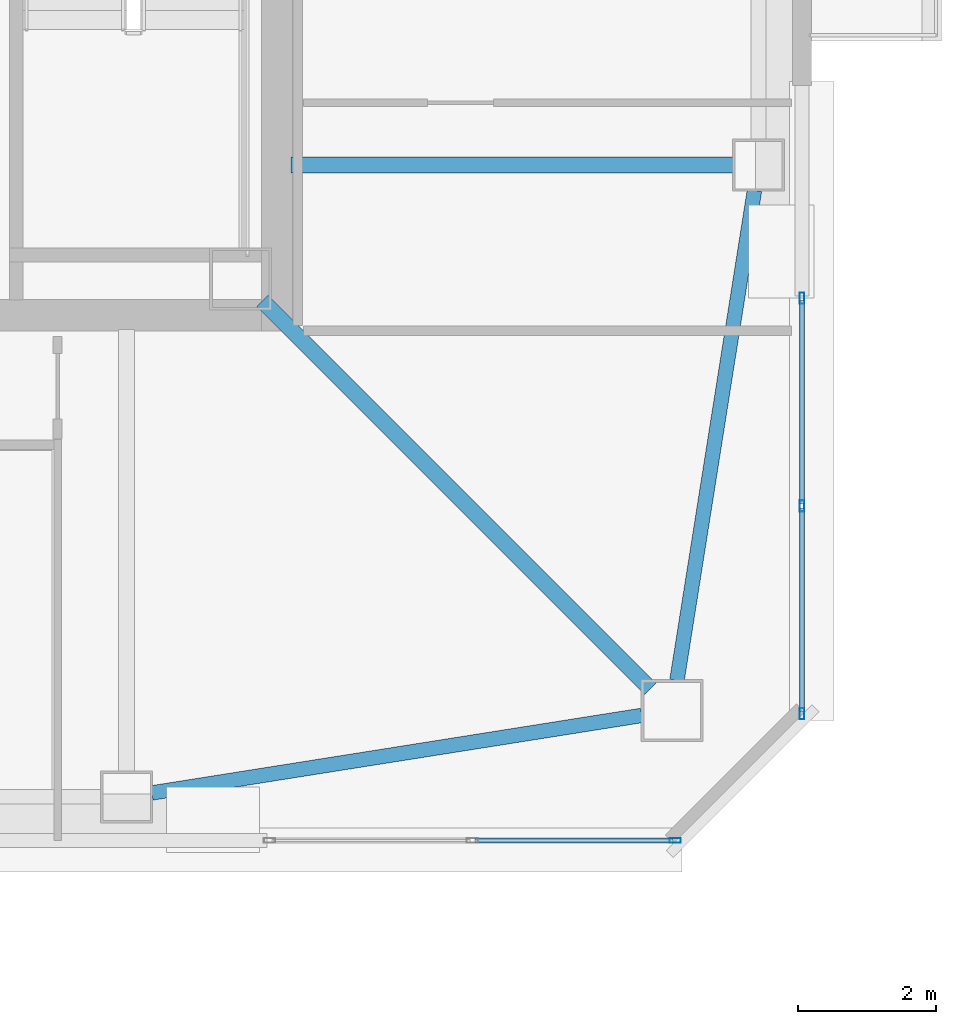
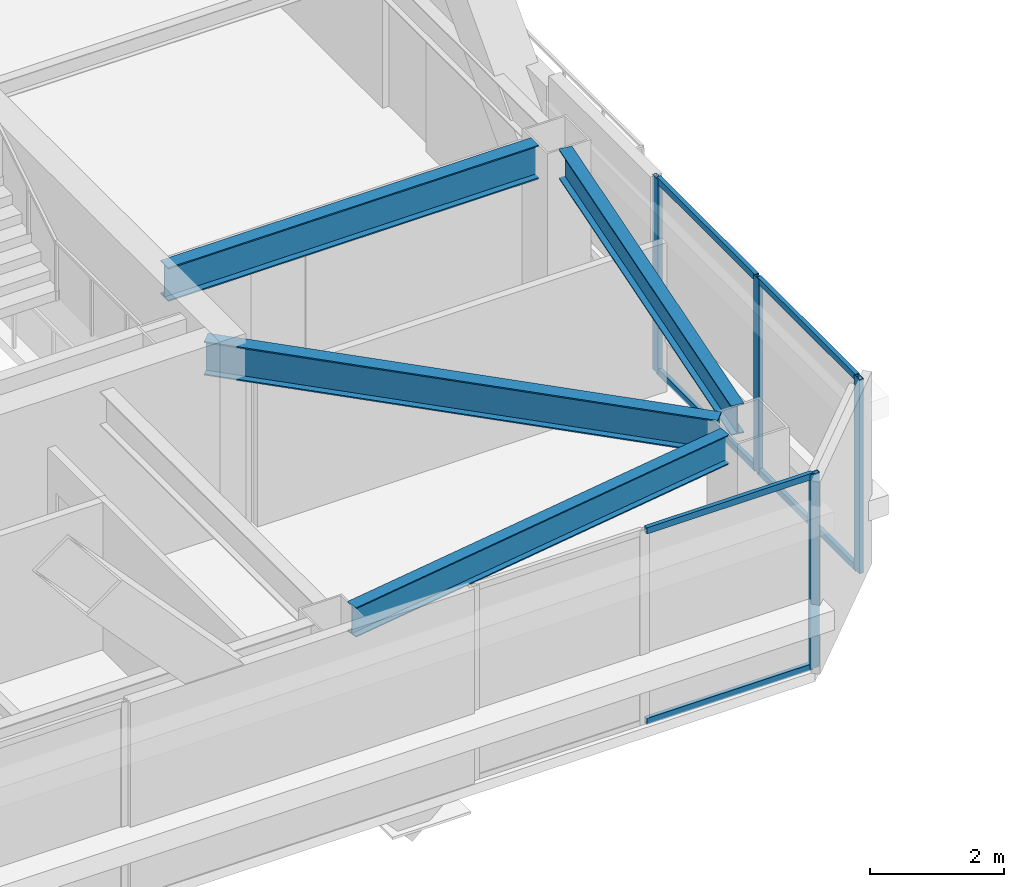
# One storey, part 7 of 24: 10 members, 4 beams, 2 elements without a shape of their own.
"""IFC4 building model written with IfcOpenShell, lengths in metres."""

from ifc_helpers import new_model, si_unit, direction, frame, origin, origin_2d, place, context, subcontext, project, spatial, hollow_rectangle, i_section, extrude, material, material_profile, profile_set, type_object, element, aggregate, save


model = new_model("IFC4")

# Units and contexts
model_context = context("Model", 3, precision=1e-05, world=origin(), true_north=direction((0.0, 1.0)))
body_context = subcontext(model_context, "Body", "Model", "MODEL_VIEW")
ifc_project = project(units=[si_unit("LENGTHUNIT", "METRE"), si_unit("AREAUNIT", "SQUARE_METRE"), si_unit("VOLUMEUNIT", "CUBIC_METRE"), si_unit("PLANEANGLEUNIT", "RADIAN"), si_unit("MASSUNIT", "GRAM", prefix="KILO")], contexts=[model_context])

# Site, building, storey
site_placement = place(None, origin())
site = spatial("IfcSite", under=ifc_project, at=site_placement, CompositionType="ELEMENT")
building_placement = place(site_placement, origin())
building = spatial("IfcBuilding", under=site, at=building_placement, Name="Tashvorn Skyway Center", CompositionType="ELEMENT")
storey_placement = place(building_placement, frame((0.0, 0.0, 270.5)))
storey = spatial("IfcBuildingStorey", under=building, at=storey_placement, Name="L73", CompositionType="ELEMENT", Elevation=270.5)

# Beams
ifc_material_1 = material(Name="Steel ASTM A992 Grade 50", Category="steel")
ifc_material_profile_1 = material_profile(ifc_material_1, i_section(OverallWidth=0.22998046875, OverallDepth=0.616943359375, WebThickness=0.01318359375, FlangeThickness=0.022216796875, at=origin_2d()), Name="W24X94")
ifc_profile_set_1 = profile_set([ifc_material_profile_1], Name="Steel ASTM A992 Grade 50")
beam_type_1 = type_object("IfcBeamType", Name="BM-BEAM-W24X94", PredefinedType="BEAM", material=ifc_profile_set_1)
beam_1_placement = place(storey_placement, frame((54.9853515625, 19.0146484375, 3.0615234375), z_axis=(-0.707106781187, 0.707106781187, 0.0), x_axis=(-0.707106781187, -0.707106781187, 0.0)))
element("IfcBeam", 1, at=beam_1_placement, inside=storey, type_object=beam_type_1, Name="Tower 1 L73 Primary Floor Girder MC-SE", PredefinedType="BEAM", context=body_context, shape_type="SweptSolid", body=[
    extrude(i_section(OverallWidth=0.22998046875, OverallDepth=0.616943359375, WebThickness=0.01318359375, FlangeThickness=0.022216796875, at=origin_2d()), origin(), (0.0, 0.0, 1.0), 7.94873046875),
])
beam_2_placement = place(storey_placement, frame((56.179931640625, 26.60009765625, 3.0615234375), z_axis=(-1.0, 0.0, 0.0), x_axis=(0.0, -1.0, 0.0)))
element("IfcBeam", 2, at=beam_2_placement, inside=storey, type_object=beam_type_1, Name="Tower 1 L73 Primary Floor Girder FC-E1", PredefinedType="BEAM", context=body_context, shape_type="SweptSolid", body=[
    extrude(i_section(OverallWidth=0.22998046875, OverallDepth=0.616943359375, WebThickness=0.01318359375, FlangeThickness=0.022216796875, at=origin_2d()), origin(), (0.0, 0.0, 1.0), 6.39990234375),
])
ifc_material_profile_2 = material_profile(ifc_material_1, i_section(OverallWidth=0.2109375, OverallDepth=0.5390625, WebThickness=0.01171875, FlangeThickness=0.018798828125, at=origin_2d()), Name="W21X73")
ifc_profile_set_2 = profile_set([ifc_material_profile_2], Name="Steel ASTM A992 Grade 50")
beam_type_2 = type_object("IfcBeamType", Name="BM-SPANDREL-W21X73", PredefinedType="SPANDREL", material=ifc_profile_set_2)
for number, where, z_axis, x_axis, name in (
    (3, (47.765380859375, 17.5078125, 3.1005859375), (0.987713587978, 0.156274976, 0.0), (-0.156274976, 0.987713587978, 0.0), "Tower 1 L73 Spandrel Beam 03"),
    (4, (55.36962890625, 19.1396484375, 3.1005859375), (0.156274976, 0.987713587978, 0.0), (-0.987713587978, 0.156274976, 0.0), "Tower 1 L73 Spandrel Beam 04"),
):
    element("IfcBeam", number, at=place(storey_placement, frame(where, z_axis=z_axis, x_axis=x_axis)), inside=storey, type_object=beam_type_2, Name=name, PredefinedType="SPANDREL", context=body_context, shape_type="SweptSolid", body=[
        extrude(i_section(OverallWidth=0.2109375, OverallDepth=0.5390625, WebThickness=0.01171875, FlangeThickness=0.018798828125, at=origin_2d()), origin(), (0.0, 0.0, 1.0), 7.18310546875),
    ])

# Curtain wall, member
ifc_material_2 = material(Name="Thermally broken bronze-anodized aluminium 6063-T6", Category="aluminium")
curtain_wall_type = type_object("IfcCurtainWallType", Name="CW-CW-Z5", PredefinedType="NOTDEFINED", material=ifc_material_2)
curtain_wall_1_placement = place(storey_placement, origin())
curtain_wall_1 = element("IfcCurtainWall", 5, at=curtain_wall_1_placement, inside=storey, type_object=curtain_wall_type, Name="Tower 1 L73 South Unitised Curtain Wall Glazing Group 1", PredefinedType="NOTDEFINED")
ifc_material_profile_3 = material_profile(ifc_material_2, hollow_rectangle(XDim=0.070068359375, YDim=0.1650390625, WallThickness=0.00390625, at=origin_2d()), Name="ALU-MULL-70x165")
ifc_profile_set_3 = profile_set([ifc_material_profile_3], Name="Thermally broken bronze-anodized aluminium 6063-T6")
member_type_1 = type_object("IfcMemberType", Name="CWM-CW-Z5", PredefinedType="MULLION", material=ifc_profile_set_3)
member_1_placement = place(storey_placement, frame((55.344970703125, 16.820068359375, 0.0), z_axis=(0.0, 0.0, 1.0), x_axis=(0.0, -1.0, 0.0)))
member_1 = element("IfcMember", 6, at=member_1_placement, type_object=member_type_1, Name="CW-Z5 mullion 1", PredefinedType="MULLION", context=body_context, shape_type="SweptSolid", body=[
    extrude(hollow_rectangle(XDim=0.070068359375, YDim=0.1650390625, WallThickness=0.00390625, at=origin_2d()), origin(), (0.0, 0.0, 1.0), 3.550048828125),
])

# Curtain wall, members
curtain_wall_2_placement = place(storey_placement, origin())
curtain_wall_2 = element("IfcCurtainWall", 7, at=curtain_wall_2_placement, inside=storey, type_object=curtain_wall_type, Name="Tower 1 L73 East Curtain Wall R Glazing Group 1", PredefinedType="NOTDEFINED")
member_2_placement = place(storey_placement, frame((57.179931640625, 24.671630859375, 0.0), z_axis=(0.0, 0.0, 1.0), x_axis=(1.0, 0.0, 0.0)))
member_2 = element("IfcMember", 8, at=member_2_placement, type_object=member_type_1, Name="CW-Z5 mullion 1", PredefinedType="MULLION", context=body_context, shape_type="SweptSolid", body=[
    extrude(hollow_rectangle(XDim=0.070068359375, YDim=0.1650390625, WallThickness=0.00390625, at=origin_2d()), origin(), (0.0, 0.0, 1.0), 3.550048828125),
])
member_3_placement = place(storey_placement, frame((57.179931640625, 21.663330078125, 0.0), z_axis=(0.0, 0.0, 1.0), x_axis=(1.0, 0.0, 0.0)))
member_3 = element("IfcMember", 9, at=member_3_placement, type_object=member_type_1, Name="CW-Z5 mullion 2", PredefinedType="MULLION", context=body_context, shape_type="SweptSolid", body=[
    extrude(hollow_rectangle(XDim=0.070068359375, YDim=0.1650390625, WallThickness=0.00390625, at=origin_2d()), origin(), (0.0, 0.0, 1.0), 3.550048828125),
])
member_4_placement = place(storey_placement, frame((57.179931640625, 18.655029296875, 0.0), z_axis=(0.0, 0.0, 1.0), x_axis=(1.0, 0.0, 0.0)))
member_4 = element("IfcMember", 10, at=member_4_placement, type_object=member_type_1, Name="CW-Z5 mullion 3", PredefinedType="MULLION", context=body_context, shape_type="SweptSolid", body=[
    extrude(hollow_rectangle(XDim=0.070068359375, YDim=0.1650390625, WallThickness=0.00390625, at=origin_2d()), origin(), (0.0, 0.0, 1.0), 3.550048828125),
])

# Member
ifc_material_profile_4 = material_profile(ifc_material_2, hollow_rectangle(XDim=0.070068359375, YDim=0.114990234375, WallThickness=0.00390625, at=origin_2d()), Name="ALU-TRAN-70x115")
ifc_profile_set_4 = profile_set([ifc_material_profile_4], Name="Thermally broken bronze-anodized aluminium 6063-T6")
member_type_2 = type_object("IfcMemberType", Name="CWT-CW-Z5", PredefinedType="USERDEFINED", material=ifc_profile_set_4)
member_5_placement = place(storey_placement, frame((55.31005859375, 16.820068359375, 0.034912109375), z_axis=(-1.0, 0.0, 0.0), x_axis=(0.0, -1.0, 0.0)))
member_5 = element("IfcMember", 11, at=member_5_placement, type_object=member_type_2, Name="CW-Z5 transom 1.1", ObjectType="TRANSOM", PredefinedType="USERDEFINED", context=body_context, shape_type="SweptSolid", body=[
    extrude(hollow_rectangle(XDim=0.070068359375, YDim=0.114990234375, WallThickness=0.00390625, at=origin_2d()), origin(), (0.0, 0.0, 1.0), 2.868408203125),
])

member_6_placement = place(storey_placement, frame((55.31005859375, 16.820068359375, 3.514892578125), z_axis=(-1.0, 0.0, 0.0), x_axis=(0.0, -1.0, 0.0)))
member_6 = element("IfcMember", 12, at=member_6_placement, type_object=member_type_2, Name="CW-Z5 transom 1.2", ObjectType="TRANSOM", PredefinedType="USERDEFINED", context=body_context, shape_type="SweptSolid", body=[
    extrude(hollow_rectangle(XDim=0.070068359375, YDim=0.114990234375, WallThickness=0.00390625, at=origin_2d()), origin(), (0.0, 0.0, 1.0), 2.868408203125),
])

aggregate(curtain_wall_1, [member_1, member_5, member_6])

member_7_placement = place(storey_placement, frame((57.179931640625, 24.63671875, 0.034912109375), z_axis=(0.0, -1.0, 0.0), x_axis=(1.0, 0.0, 0.0)))
member_7 = element("IfcMember", 13, at=member_7_placement, type_object=member_type_2, Name="CW-Z5 transom 1.1", ObjectType="TRANSOM", PredefinedType="USERDEFINED", context=body_context, shape_type="SweptSolid", body=[
    extrude(hollow_rectangle(XDim=0.070068359375, YDim=0.114990234375, WallThickness=0.00390625, at=origin_2d()), origin(), (0.0, 0.0, 1.0), 2.9384765625),
])

member_8_placement = place(storey_placement, frame((57.179931640625, 24.63671875, 3.514892578125), z_axis=(0.0, -1.0, 0.0), x_axis=(1.0, 0.0, 0.0)))
member_8 = element("IfcMember", 14, at=member_8_placement, type_object=member_type_2, Name="CW-Z5 transom 1.2", ObjectType="TRANSOM", PredefinedType="USERDEFINED", context=body_context, shape_type="SweptSolid", body=[
    extrude(hollow_rectangle(XDim=0.070068359375, YDim=0.114990234375, WallThickness=0.00390625, at=origin_2d()), origin(), (0.0, 0.0, 1.0), 2.9384765625),
])

member_9_placement = place(storey_placement, frame((57.179931640625, 21.62841796875, 0.034912109375), z_axis=(0.0, -1.0, 0.0), x_axis=(1.0, 0.0, 0.0)))
member_9 = element("IfcMember", 15, at=member_9_placement, type_object=member_type_2, Name="CW-Z5 transom 2.1", ObjectType="TRANSOM", PredefinedType="USERDEFINED", context=body_context, shape_type="SweptSolid", body=[
    extrude(hollow_rectangle(XDim=0.070068359375, YDim=0.114990234375, WallThickness=0.00390625, at=origin_2d()), origin(), (0.0, 0.0, 1.0), 2.9384765625),
])

member_10_placement = place(storey_placement, frame((57.179931640625, 21.62841796875, 3.514892578125), z_axis=(0.0, -1.0, 0.0), x_axis=(1.0, 0.0, 0.0)))
member_10 = element("IfcMember", 16, at=member_10_placement, type_object=member_type_2, Name="CW-Z5 transom 2.2", ObjectType="TRANSOM", PredefinedType="USERDEFINED", context=body_context, shape_type="SweptSolid", body=[
    extrude(hollow_rectangle(XDim=0.070068359375, YDim=0.114990234375, WallThickness=0.00390625, at=origin_2d()), origin(), (0.0, 0.0, 1.0), 2.9384765625),
])

aggregate(curtain_wall_2, [member_2, member_3, member_4, member_7, member_8, member_9, member_10])

save(model, "model.ifc")
